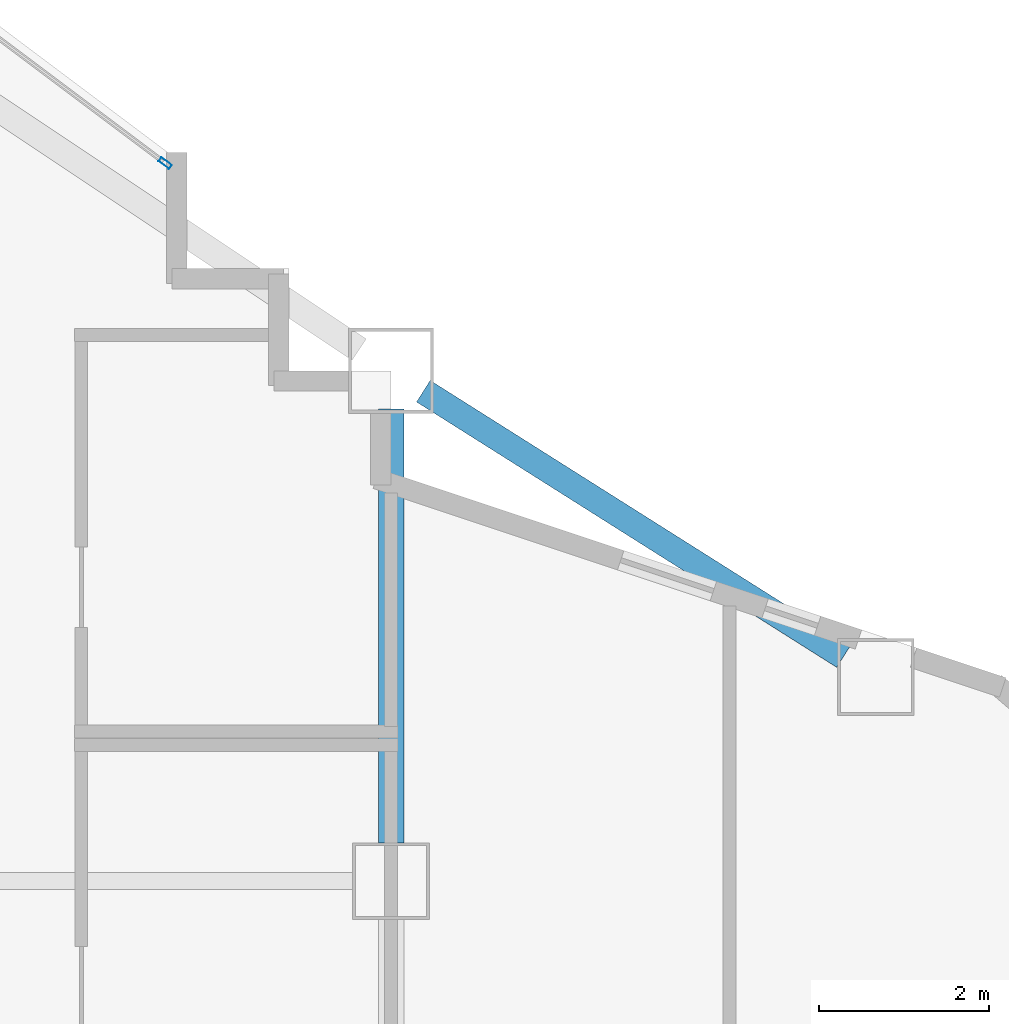
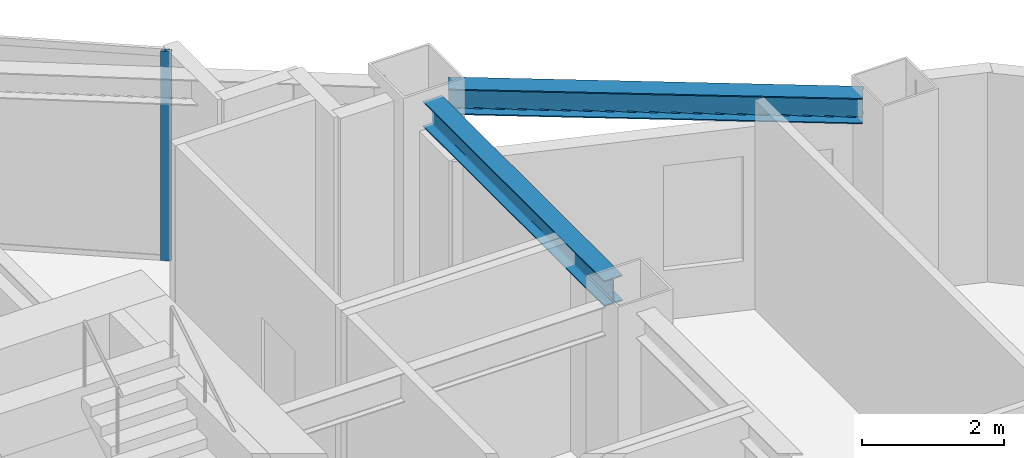
# One storey, part 4 of 14: 2 beams, 1 member, 1 element without a shape of its own.
"""IFC4 building model written with IfcOpenShell, lengths in metres."""

from ifc_helpers import new_model, si_unit, direction, frame, origin, origin_2d, place, context, subcontext, project, spatial, hollow_rectangle, i_section, extrude, material, layer, layer_set, material_profile, profile_set, type_object, element, aggregate, save


model = new_model("IFC4")

# Units and contexts
model_context = context("Model", 3, precision=1e-05, world=origin(), true_north=direction((0.0, 1.0)))
body_context = subcontext(model_context, "Body", "Model", "MODEL_VIEW")
ifc_project = project(units=[si_unit("LENGTHUNIT", "METRE"), si_unit("AREAUNIT", "SQUARE_METRE"), si_unit("VOLUMEUNIT", "CUBIC_METRE"), si_unit("PLANEANGLEUNIT", "RADIAN"), si_unit("MASSUNIT", "GRAM", prefix="KILO")], contexts=[model_context])

# Site, building, storey
site_placement = place(None, origin())
site = spatial("IfcSite", under=ifc_project, at=site_placement, CompositionType="ELEMENT")
building_placement = place(site_placement, origin())
building = spatial("IfcBuilding", under=site, at=building_placement, Name="Haolan Belvedere Tower", CompositionType="ELEMENT")
storey_placement = place(building_placement, frame((0.0, 0.0, 121.199951171875)))
storey = spatial("IfcBuildingStorey", under=building, at=storey_placement, Name="L30", CompositionType="ELEMENT", Elevation=121.199951171875)

# Beams
ifc_material_1 = material(Name="Steel Q355B", Category="steel")
ifc_material_profile_1 = material_profile(ifc_material_1, i_section(OverallWidth=0.300048828125, OverallDepth=0.43994140625, WebThickness=0.010986328125, FlangeThickness=0.01806640625, FilletRadius=0.02392578125, at=origin_2d()), Name="Steel Q355B")
ifc_profile_set_1 = profile_set([ifc_material_profile_1], Name="Steel Q355B")
beam_type = type_object("IfcBeamType", Name="BM-HM440x300x11x18", PredefinedType="SPANDREL", material=ifc_profile_set_1)
beam_1_placement = place(storey_placement, frame((52.800048828125, 40.050048828125, 3.380126953125), z_axis=(0.0, 1.0, 0.0), x_axis=(-1.0, 0.0, 0.0)))
element("IfcBeam", 1, at=beam_1_placement, inside=storey, type_object=beam_type, Name="L30 spandrel girder TC-T3-E2-MC-T3-NE", PredefinedType="SPANDREL", context=body_context, shape_type="SweptSolid", body=[
    extrude(i_section(OverallWidth=0.300048828125, OverallDepth=0.43994140625, WebThickness=0.010986328125, FlangeThickness=0.01806640625, FilletRadius=0.02392578125, at=origin_2d()), origin(), (0.0, 0.0, 1.0), 5.099853515625),
])
beam_2_placement = place(storey_placement, frame((53.180419921875, 45.359619140625, 3.380126953125), z_axis=(0.845497840649, -0.533978839898, 0.0), x_axis=(0.533978839898, 0.845497840649, 0.0)))
element("IfcBeam", 2, at=beam_2_placement, inside=storey, type_object=beam_type, Name="L30 spandrel girder MC-T3-NE-TC-T4-N1", PredefinedType="SPANDREL", context=body_context, shape_type="SweptSolid", body=[
    extrude(i_section(OverallWidth=0.300048828125, OverallDepth=0.43994140625, WebThickness=0.010986328125, FlangeThickness=0.01806640625, FilletRadius=0.02392578125, at=origin_2d()), origin(), (0.0, 0.0, 1.0), 5.841796875),
])

# Curtain wall, member
ifc_material_2 = material(Name="Anodised champagne-silver aluminium 6063-T6 and Low-E glass", Category="aluminium")
ifc_layer = layer(ifc_material_2, 0.155029296875, Name="Anodised champagne-silver aluminium 6063-T6 and Low-E glass")
ifc_layer_set = layer_set([ifc_layer], Name="Anodised champagne-silver aluminium 6063-T6 and Low-E glass")
curtain_wall_type = type_object("IfcCurtainWallType", Name="CW-SYS-03", PredefinedType="NOTDEFINED", material=ifc_layer_set)
curtain_wall_placement = place(storey_placement, origin())
curtain_wall = element("IfcCurtainWall", 3, at=curtain_wall_placement, inside=storey, type_object=curtain_wall_type, Name="L30 CW-SYS-03 ribbon curtain wall 26.1", PredefinedType="NOTDEFINED")
ifc_material_3 = material(Name="Anodised aluminium 6063-T6", Category="aluminium")
ifc_material_profile_2 = material_profile(ifc_material_3, hollow_rectangle(XDim=0.05810546875, YDim=0.155029296875, WallThickness=0.00390625, at=origin_2d()), Name="Anodised aluminium 6063-T6")
ifc_profile_set_2 = profile_set([ifc_material_profile_2], Name="Anodised aluminium 6063-T6")
member_type = type_object("IfcMemberType", Name="CW-SYS-03-MUL", PredefinedType="MULLION", material=ifc_profile_set_2)
member_placement = place(storey_placement, frame((50.144775390625, 48.04150390625, 0.0), z_axis=(0.0, 0.0, 1.0), x_axis=(-0.599994316874, -0.800004262313, 0.0)))
member = element("IfcMember", 4, at=member_placement, type_object=member_type, Name="CW-03 mullion 1", PredefinedType="MULLION", context=body_context, shape_type="SweptSolid", body=[
    extrude(hollow_rectangle(XDim=0.05810546875, YDim=0.155029296875, WallThickness=0.00390625, at=origin_2d()), origin(), (0.0, 0.0, 1.0), 3.60009765625),
])
aggregate(curtain_wall, [member])

save(model, "model.ifc")
